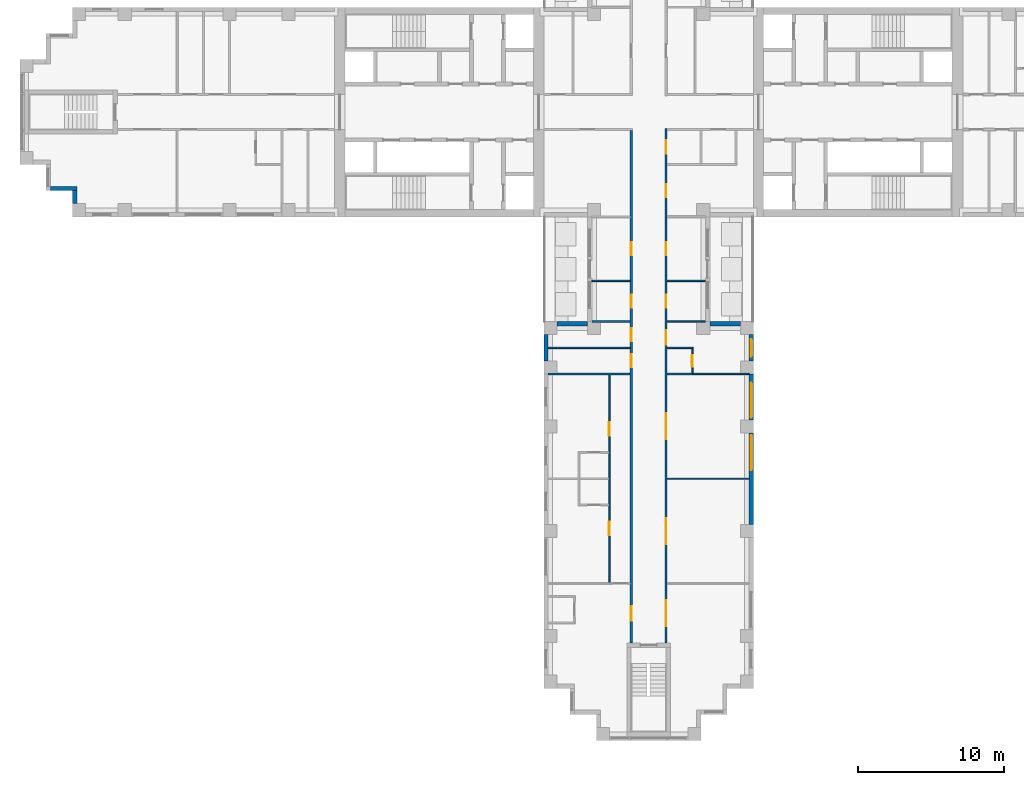
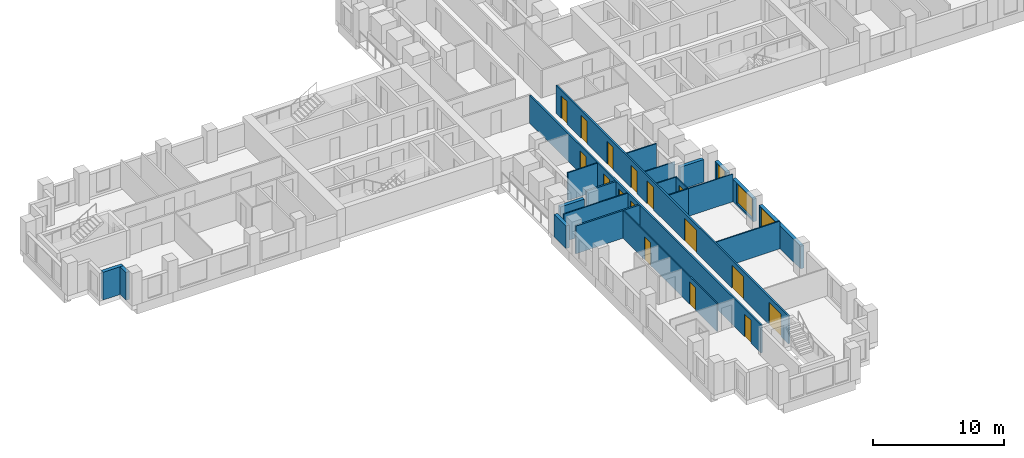
# One storey, part 4 of 13: 22 walls, 16 doors, 3 windows, 19 openings.
"""IFC4 building model written with IfcOpenShell, lengths in metres."""

from ifc_helpers import new_model, si_unit, direction, frame, frame_2d, origin, place, context, subcontext, project, spatial, rectangle, extrude, material, layer, layer_set, type_object, element, fill, save


model = new_model("IFC4")

# Units and contexts
model_context = context("Model", 3, precision=1e-05, world=origin(), true_north=direction((0.0, 1.0)))
body_context = subcontext(model_context, "Body", "Model", "MODEL_VIEW")
ifc_project = project(units=[si_unit("LENGTHUNIT", "METRE"), si_unit("AREAUNIT", "SQUARE_METRE"), si_unit("VOLUMEUNIT", "CUBIC_METRE"), si_unit("PLANEANGLEUNIT", "RADIAN"), si_unit("MASSUNIT", "GRAM", prefix="KILO")], contexts=[model_context])

# Site, building, storey
site_placement = place(None, origin())
site = spatial("IfcSite", under=ifc_project, at=site_placement, CompositionType="ELEMENT")
building_placement = place(site_placement, origin())
building = spatial("IfcBuilding", under=site, at=building_placement, Name="Fustian Cross Tower", CompositionType="ELEMENT")
storey_placement = place(building_placement, frame((0.0, 0.0, 81.89990234375)))
storey = spatial("IfcBuildingStorey", under=building, at=storey_placement, Name="L25", CompositionType="ELEMENT", Elevation=81.89990234375)

# Walls
ifc_material_1 = material(Name="Plasterboard on steel stud", Category="steel")
ifc_layer_1 = layer(ifc_material_1, 0.14990234375)
ifc_layer_set_1 = layer_set([ifc_layer_1], Name="Plasterboard on steel stud")
wall_type_1 = type_object("IfcWallType", Name="COMPARTMENT WALL 150 EI 60", PredefinedType="PARTITIONING", material=ifc_layer_set_1)
wall_1_placement = place(storey_placement, frame((-6.89990234375, -18.0, 0.0), z_axis=(0.0, 0.0, 1.0), x_axis=(1.0, 0.0, 0.0)))
element("IfcWall", 1, at=wall_1_placement, inside=storey, type_object=wall_type_1, Name="Partition 17", PredefinedType="PARTITIONING", context=body_context, shape_type="SweptSolid", body=[
    extrude(rectangle(XDim=5.625, YDim=0.14990234375, at=frame_2d((2.8125, 0.0))), origin(), (0.0, 0.0, 1.0), 2.5751953125),
])
wall_2_placement = place(storey_placement, frame((-3.89990234375, -14.39990234375, 0.0), z_axis=(0.0, 0.0, 1.0), x_axis=(1.0, 0.0, 0.0)))
element("IfcWall", 2, at=wall_2_placement, inside=storey, type_object=wall_type_1, Name="Partition 25", PredefinedType="PARTITIONING", context=body_context, shape_type="SweptSolid", body=[
    extrude(rectangle(XDim=2.625, YDim=0.14990234375, at=frame_2d((1.3125, 0.0))), origin(), (0.0, 0.0, 1.0), 2.5751953125),
])

# Wall, openings, doors
wall_3_placement = place(storey_placement, frame((-1.199951171875, -36.5, 0.0), z_axis=(0.0, 0.0, 1.0), x_axis=(0.0, 1.0, 0.0)))
wall_3 = element("IfcWall", 3, at=wall_3_placement, inside=storey, type_object=wall_type_1, Name="Partition 34", PredefinedType="PARTITIONING", context=body_context, shape_type="SweptSolid", body=[
    extrude(rectangle(XDim=35.22509765625, YDim=0.14990234375, at=frame_2d((17.612548828125, 0.0))), origin(), (0.0, 0.0, 1.0), 2.5751953125),
])
opening_1_placement = place(wall_3_placement, frame((23.050048828125, 0.0, 0.0)))
opening_1 = element("IfcOpeningElement", 4, at=opening_1_placement, cuts=wall_3, Name="Opening D12044", PredefinedType="OPENING", context=body_context, shape_type="SweptSolid", body=[
    extrude(rectangle(XDim=0.89990234375, YDim=2.10009765625, at=frame_2d((0.449951171875, 1.050048828125))), frame((0.0, 0.0849609375, 0.0), z_axis=(0.0, -1.0, 0.0), x_axis=(1.0, 0.0, 0.0)), (0.0, 0.0, 1.0), 0.169921875),
])
opening_2_placement = place(wall_3_placement, frame((26.64990234375, 0.0, 0.0)))
opening_2 = element("IfcOpeningElement", 5, at=opening_2_placement, cuts=wall_3, Name="Opening D12045", PredefinedType="OPENING", context=body_context, shape_type="SweptSolid", body=[
    extrude(rectangle(XDim=0.89990234375, YDim=2.10009765625, at=frame_2d((0.449951171875, 1.050048828125))), frame((0.0, 0.0849609375, 0.0), z_axis=(0.0, -1.0, 0.0), x_axis=(1.0, 0.0, 0.0)), (0.0, 0.0, 1.0), 0.169921875),
])
opening_3_placement = place(wall_3_placement, frame((20.75, 0.0, 0.0)))
opening_3 = element("IfcOpeningElement", 6, at=opening_3_placement, cuts=wall_3, Name="Opening D12046", PredefinedType="OPENING", context=body_context, shape_type="SweptSolid", body=[
    extrude(rectangle(XDim=0.89990234375, YDim=2.10009765625, at=frame_2d((0.449951171875, 1.050048828125))), frame((0.0, 0.0849609375, 0.0), z_axis=(0.0, -1.0, 0.0), x_axis=(1.0, 0.0, 0.0)), (0.0, 0.0, 1.0), 0.169921875),
])
opening_4_placement = place(wall_3_placement, frame((18.949951171875, 0.0, 0.0)))
opening_4 = element("IfcOpeningElement", 7, at=opening_4_placement, cuts=wall_3, Name="Opening D12047", PredefinedType="OPENING", context=body_context, shape_type="SweptSolid", body=[
    extrude(rectangle(XDim=0.89990234375, YDim=2.10009765625, at=frame_2d((0.449951171875, 1.050048828125))), frame((0.0, 0.0849609375, 0.0), z_axis=(0.0, -1.0, 0.0), x_axis=(1.0, 0.0, 0.0)), (0.0, 0.0, 1.0), 0.169921875),
])
opening_5_placement = place(wall_3_placement, frame((1.550048828125, 0.0, 0.0)))
opening_5 = element("IfcOpeningElement", 8, at=opening_5_placement, cuts=wall_3, Name="Opening D12049", PredefinedType="OPENING", context=body_context, shape_type="SweptSolid", body=[
    extrude(rectangle(XDim=1.0, YDim=2.10009765625, at=frame_2d((0.5, 1.050048828125))), frame((0.0, 0.0849609375, 0.0), z_axis=(0.0, -1.0, 0.0), x_axis=(1.0, 0.0, 0.0)), (0.0, 0.0, 1.0), 0.169921875),
])
ifc_material_2 = material(Name="Timber fire door set", Category="wood")
door_type_1 = type_object("IfcDoorType", Name="FIRE SWING DOOR 1000 FD30S", OperationType="SINGLE_SWING_LEFT", PredefinedType="DOOR", material=ifc_material_2)
door_1_placement = place(opening_5_placement, origin())
door_1 = element("IfcDoor", 9, at=door_1_placement, inside=storey, type_object=door_type_1, Name="Door D12049", OperationType="SINGLE_SWING_RIGHT", OverallHeight=2.10009765625, OverallWidth=1.0, PredefinedType="DOOR", context=body_context, shape_type="SweptSolid", body=[
    extrude(rectangle(XDim=1.0, YDim=2.10009765625, at=frame_2d((0.5, 1.050048828125))), frame((0.0, 0.02490234375, 0.0), z_axis=(0.0, -1.0, 0.0), x_axis=(1.0, 0.0, 0.0)), (0.0, 0.0, 1.0), 0.050048828125),
])
fill(opening_5, door_1)
ifc_material_3 = material(Name="Timber fire door set", Category="wood")
door_type_2 = type_object("IfcDoorType", Name="FIRE SWING DOOR 900 FD30S", OperationType="SINGLE_SWING_LEFT", PredefinedType="DOOR", material=ifc_material_3)
door_2_placement = place(opening_1_placement, origin())
door_2 = element("IfcDoor", 10, at=door_2_placement, inside=storey, type_object=door_type_2, Name="Door D12044", OperationType="SINGLE_SWING_LEFT", OverallHeight=2.10009765625, OverallWidth=0.89990234375, PredefinedType="DOOR", context=body_context, shape_type="SweptSolid", body=[
    extrude(rectangle(XDim=0.89990234375, YDim=2.10009765625, at=frame_2d((0.449951171875, 1.050048828125))), frame((0.0, 0.02490234375, 0.0), z_axis=(0.0, -1.0, 0.0), x_axis=(1.0, 0.0, 0.0)), (0.0, 0.0, 1.0), 0.050048828125),
])
fill(opening_1, door_2)
door_3_placement = place(opening_2_placement, origin())
door_3 = element("IfcDoor", 11, at=door_3_placement, inside=storey, type_object=door_type_2, Name="Door D12045", OperationType="SINGLE_SWING_LEFT", OverallHeight=2.10009765625, OverallWidth=0.89990234375, PredefinedType="DOOR", context=body_context, shape_type="SweptSolid", body=[
    extrude(rectangle(XDim=0.89990234375, YDim=2.10009765625, at=frame_2d((0.449951171875, 1.050048828125))), frame((0.0, 0.02490234375, 0.0), z_axis=(0.0, -1.0, 0.0), x_axis=(1.0, 0.0, 0.0)), (0.0, 0.0, 1.0), 0.050048828125),
])
fill(opening_2, door_3)
door_4_placement = place(opening_3_placement, origin())
door_4 = element("IfcDoor", 12, at=door_4_placement, inside=storey, type_object=door_type_2, Name="Door D12046", OperationType="SINGLE_SWING_RIGHT", OverallHeight=2.10009765625, OverallWidth=0.89990234375, PredefinedType="DOOR", context=body_context, shape_type="SweptSolid", body=[
    extrude(rectangle(XDim=0.89990234375, YDim=2.10009765625, at=frame_2d((0.449951171875, 1.050048828125))), frame((0.0, 0.02490234375, 0.0), z_axis=(0.0, -1.0, 0.0), x_axis=(1.0, 0.0, 0.0)), (0.0, 0.0, 1.0), 0.050048828125),
])
fill(opening_3, door_4)
door_5_placement = place(opening_4_placement, origin())
door_5 = element("IfcDoor", 13, at=door_5_placement, inside=storey, type_object=door_type_2, Name="Door D12047", OperationType="SINGLE_SWING_RIGHT", OverallHeight=2.10009765625, OverallWidth=0.89990234375, PredefinedType="DOOR", context=body_context, shape_type="SweptSolid", body=[
    extrude(rectangle(XDim=0.89990234375, YDim=2.10009765625, at=frame_2d((0.449951171875, 1.050048828125))), frame((0.0, 0.02490234375, 0.0), z_axis=(0.0, -1.0, 0.0), x_axis=(1.0, 0.0, 0.0)), (0.0, 0.0, 1.0), 0.050048828125),
])
fill(opening_4, door_5)

wall_4_placement = place(storey_placement, frame((1.199951171875, -36.5, 0.0), z_axis=(0.0, 0.0, 1.0), x_axis=(0.0, 1.0, 0.0)))
wall_4 = element("IfcWall", 14, at=wall_4_placement, inside=storey, type_object=wall_type_1, Name="Partition 36", PredefinedType="PARTITIONING", context=body_context, shape_type="SweptSolid", body=[
    extrude(rectangle(XDim=35.375, YDim=0.14990234375, at=frame_2d((17.6875, 0.0))), origin(), (0.0, 0.0, 1.0), 2.5751953125),
])
opening_6_placement = place(wall_4_placement, frame((33.64990234375, 0.0, 0.0)))
opening_6 = element("IfcOpeningElement", 15, at=opening_6_placement, cuts=wall_4, Name="Opening D12005", PredefinedType="OPENING", context=body_context, shape_type="SweptSolid", body=[
    extrude(rectangle(XDim=0.89990234375, YDim=2.10009765625, at=frame_2d((0.449951171875, 1.050048828125))), frame((0.0, 0.0849609375, 0.0), z_axis=(0.0, -1.0, 0.0), x_axis=(1.0, 0.0, 0.0)), (0.0, 0.0, 1.0), 0.169921875),
])
opening_7_placement = place(wall_4_placement, frame((30.64990234375, 0.0, 0.0)))
opening_7 = element("IfcOpeningElement", 16, at=opening_7_placement, cuts=wall_4, Name="Opening D12007", PredefinedType="OPENING", context=body_context, shape_type="SweptSolid", body=[
    extrude(rectangle(XDim=0.89990234375, YDim=2.10009765625, at=frame_2d((0.449951171875, 1.050048828125))), frame((0.0, 0.0849609375, 0.0), z_axis=(0.0, -1.0, 0.0), x_axis=(1.0, 0.0, 0.0)), (0.0, 0.0, 1.0), 0.169921875),
])
opening_8_placement = place(wall_4_placement, frame((23.050048828125, 0.0, 0.0)))
opening_8 = element("IfcOpeningElement", 17, at=opening_8_placement, cuts=wall_4, Name="Opening D12037", PredefinedType="OPENING", context=body_context, shape_type="SweptSolid", body=[
    extrude(rectangle(XDim=0.89990234375, YDim=2.10009765625, at=frame_2d((0.449951171875, 1.050048828125))), frame((0.0, 0.0849609375, 0.0), z_axis=(0.0, -1.0, 0.0), x_axis=(1.0, 0.0, 0.0)), (0.0, 0.0, 1.0), 0.169921875),
])
opening_9_placement = place(wall_4_placement, frame((26.64990234375, 0.0, 0.0)))
opening_9 = element("IfcOpeningElement", 18, at=opening_9_placement, cuts=wall_4, Name="Opening D12038", PredefinedType="OPENING", context=body_context, shape_type="SweptSolid", body=[
    extrude(rectangle(XDim=0.89990234375, YDim=2.10009765625, at=frame_2d((0.449951171875, 1.050048828125))), frame((0.0, 0.0849609375, 0.0), z_axis=(0.0, -1.0, 0.0), x_axis=(1.0, 0.0, 0.0)), (0.0, 0.0, 1.0), 0.169921875),
])
opening_10_placement = place(wall_4_placement, frame((20.5, 0.0, 0.0)))
opening_10 = element("IfcOpeningElement", 19, at=opening_10_placement, cuts=wall_4, Name="Opening D12040", PredefinedType="OPENING", context=body_context, shape_type="SweptSolid", body=[
    extrude(rectangle(XDim=1.0, YDim=2.10009765625, at=frame_2d((0.5, 1.050048828125))), frame((0.0, 0.0849609375, 0.0), z_axis=(0.0, -1.0, 0.0), x_axis=(1.0, 0.0, 0.0)), (0.0, 0.0, 1.0), 0.169921875),
])
opening_11_placement = place(wall_4_placement, frame((14.0, 0.0, 0.0)))
opening_11 = element("IfcOpeningElement", 20, at=opening_11_placement, cuts=wall_4, Name="Opening D12041", PredefinedType="OPENING", context=body_context, shape_type="SweptSolid", body=[
    extrude(rectangle(XDim=1.800048828125, YDim=2.10009765625, at=frame_2d((0.89990234375, 1.050048828125))), frame((0.0, 0.0849609375, 0.0), z_axis=(0.0, -1.0, 0.0), x_axis=(1.0, 0.0, 0.0)), (0.0, 0.0, 1.0), 0.169921875),
])
opening_12_placement = place(wall_4_placement, frame((6.800048828125, 0.0, 0.0)))
opening_12 = element("IfcOpeningElement", 21, at=opening_12_placement, cuts=wall_4, Name="Opening D12042", PredefinedType="OPENING", context=body_context, shape_type="SweptSolid", body=[
    extrude(rectangle(XDim=1.800048828125, YDim=2.10009765625, at=frame_2d((0.89990234375, 1.050048828125))), frame((0.0, 0.0849609375, 0.0), z_axis=(0.0, -1.0, 0.0), x_axis=(1.0, 0.0, 0.0)), (0.0, 0.0, 1.0), 0.169921875),
])
opening_13_placement = place(wall_4_placement, frame((1.14990234375, 0.0, 0.0)))
opening_13 = element("IfcOpeningElement", 22, at=opening_13_placement, cuts=wall_4, Name="Opening D12043", PredefinedType="OPENING", context=body_context, shape_type="SweptSolid", body=[
    extrude(rectangle(XDim=1.800048828125, YDim=2.10009765625, at=frame_2d((0.89990234375, 1.050048828125))), frame((0.0, 0.0849609375, 0.0), z_axis=(0.0, -1.0, 0.0), x_axis=(1.0, 0.0, 0.0)), (0.0, 0.0, 1.0), 0.169921875),
])
ifc_material_4 = material(Name="Timber fire door set", Category="wood")
door_type_3 = type_object("IfcDoorType", Name="FIRE DOUBLE DOOR 1800 FD30S", OperationType="DOUBLE_DOOR_DOUBLE_SWING", PredefinedType="DOOR", material=ifc_material_4)
door_6_placement = place(opening_11_placement, origin())
door_6 = element("IfcDoor", 23, at=door_6_placement, inside=storey, type_object=door_type_3, Name="Door D12041", OperationType="DOUBLE_DOOR_DOUBLE_SWING", OverallHeight=2.10009765625, OverallWidth=1.800048828125, PredefinedType="DOOR", context=body_context, shape_type="SweptSolid", body=[
    extrude(rectangle(XDim=1.800048828125, YDim=2.10009765625, at=frame_2d((0.89990234375, 1.050048828125))), frame((0.0, 0.02490234375, 0.0), z_axis=(0.0, -1.0, 0.0), x_axis=(1.0, 0.0, 0.0)), (0.0, 0.0, 1.0), 0.050048828125),
])
fill(opening_11, door_6)
door_7_placement = place(opening_12_placement, origin())
door_7 = element("IfcDoor", 24, at=door_7_placement, inside=storey, type_object=door_type_3, Name="Door D12042", OperationType="DOUBLE_DOOR_DOUBLE_SWING", OverallHeight=2.10009765625, OverallWidth=1.800048828125, PredefinedType="DOOR", context=body_context, shape_type="SweptSolid", body=[
    extrude(rectangle(XDim=1.800048828125, YDim=2.10009765625, at=frame_2d((0.89990234375, 1.050048828125))), frame((0.0, 0.02490234375, 0.0), z_axis=(0.0, -1.0, 0.0), x_axis=(1.0, 0.0, 0.0)), (0.0, 0.0, 1.0), 0.050048828125),
])
fill(opening_12, door_7)
door_8_placement = place(opening_13_placement, origin())
door_8 = element("IfcDoor", 25, at=door_8_placement, inside=storey, type_object=door_type_3, Name="Door D12043", OperationType="DOUBLE_DOOR_DOUBLE_SWING", OverallHeight=2.10009765625, OverallWidth=1.800048828125, PredefinedType="DOOR", context=body_context, shape_type="SweptSolid", body=[
    extrude(rectangle(XDim=1.800048828125, YDim=2.10009765625, at=frame_2d((0.89990234375, 1.050048828125))), frame((0.0, 0.02490234375, 0.0), z_axis=(0.0, -1.0, 0.0), x_axis=(1.0, 0.0, 0.0)), (0.0, 0.0, 1.0), 0.050048828125),
])
fill(opening_13, door_8)
door_9_placement = place(opening_10_placement, frame((1.0, 0.0, 0.0), z_axis=(0.0, 0.0, 1.0), x_axis=(-1.0, 0.0, 0.0)))
door_9 = element("IfcDoor", 26, at=door_9_placement, inside=storey, type_object=door_type_1, Name="Door D12040", OperationType="SINGLE_SWING_RIGHT", OverallHeight=2.10009765625, OverallWidth=1.0, PredefinedType="DOOR", context=body_context, shape_type="SweptSolid", body=[
    extrude(rectangle(XDim=1.0, YDim=2.10009765625, at=frame_2d((0.5, 1.050048828125))), frame((0.0, 0.02490234375, 0.0), z_axis=(0.0, -1.0, 0.0), x_axis=(1.0, 0.0, 0.0)), (0.0, 0.0, 1.0), 0.050048828125),
])
fill(opening_10, door_9)
door_10_placement = place(opening_6_placement, frame((0.89990234375, 0.0, 0.0), z_axis=(0.0, 0.0, 1.0), x_axis=(-1.0, 0.0, 0.0)))
door_10 = element("IfcDoor", 27, at=door_10_placement, inside=storey, type_object=door_type_2, Name="Door D12005", OperationType="SINGLE_SWING_RIGHT", OverallHeight=2.10009765625, OverallWidth=0.89990234375, PredefinedType="DOOR", context=body_context, shape_type="SweptSolid", body=[
    extrude(rectangle(XDim=0.89990234375, YDim=2.10009765625, at=frame_2d((0.449951171875, 1.050048828125))), frame((0.0, 0.02490234375, 0.0), z_axis=(0.0, -1.0, 0.0), x_axis=(1.0, 0.0, 0.0)), (0.0, 0.0, 1.0), 0.050048828125),
])
fill(opening_6, door_10)
door_11_placement = place(opening_7_placement, frame((0.89990234375, 0.0, 0.0), z_axis=(0.0, 0.0, 1.0), x_axis=(-1.0, 0.0, 0.0)))
door_11 = element("IfcDoor", 28, at=door_11_placement, inside=storey, type_object=door_type_2, Name="Door D12007", OperationType="SINGLE_SWING_RIGHT", OverallHeight=2.10009765625, OverallWidth=0.89990234375, PredefinedType="DOOR", context=body_context, shape_type="SweptSolid", body=[
    extrude(rectangle(XDim=0.89990234375, YDim=2.10009765625, at=frame_2d((0.449951171875, 1.050048828125))), frame((0.0, 0.02490234375, 0.0), z_axis=(0.0, -1.0, 0.0), x_axis=(1.0, 0.0, 0.0)), (0.0, 0.0, 1.0), 0.050048828125),
])
fill(opening_7, door_11)
door_12_placement = place(opening_8_placement, frame((0.89990234375, 0.0, 0.0), z_axis=(0.0, 0.0, 1.0), x_axis=(-1.0, 0.0, 0.0)))
door_12 = element("IfcDoor", 29, at=door_12_placement, inside=storey, type_object=door_type_2, Name="Door D12037", OperationType="SINGLE_SWING_RIGHT", OverallHeight=2.10009765625, OverallWidth=0.89990234375, PredefinedType="DOOR", context=body_context, shape_type="SweptSolid", body=[
    extrude(rectangle(XDim=0.89990234375, YDim=2.10009765625, at=frame_2d((0.449951171875, 1.050048828125))), frame((0.0, 0.02490234375, 0.0), z_axis=(0.0, -1.0, 0.0), x_axis=(1.0, 0.0, 0.0)), (0.0, 0.0, 1.0), 0.050048828125),
])
fill(opening_8, door_12)
door_13_placement = place(opening_9_placement, frame((0.89990234375, 0.0, 0.0), z_axis=(0.0, 0.0, 1.0), x_axis=(-1.0, 0.0, 0.0)))
door_13 = element("IfcDoor", 30, at=door_13_placement, inside=storey, type_object=door_type_2, Name="Door D12038", OperationType="SINGLE_SWING_RIGHT", OverallHeight=2.10009765625, OverallWidth=0.89990234375, PredefinedType="DOOR", context=body_context, shape_type="SweptSolid", body=[
    extrude(rectangle(XDim=0.89990234375, YDim=2.10009765625, at=frame_2d((0.449951171875, 1.050048828125))), frame((0.0, 0.02490234375, 0.0), z_axis=(0.0, -1.0, 0.0), x_axis=(1.0, 0.0, 0.0)), (0.0, 0.0, 1.0), 0.050048828125),
])
fill(opening_9, door_13)

# Walls
ifc_material_5 = material(Name="Plasterboard on steel stud", Category="steel")
ifc_layer_2 = layer(ifc_material_5, 0.10009765625)
ifc_layer_set_2 = layer_set([ifc_layer_2], Name="Plasterboard on steel stud")
wall_type_2 = type_object("IfcWallType", Name="PARTITION 100 STUD", PredefinedType="PARTITIONING", material=ifc_layer_set_2)
wall_5_placement = place(storey_placement, frame((-6.89990234375, -16.199951171875, 0.0), z_axis=(0.0, 0.0, 1.0), x_axis=(1.0, 0.0, 0.0)))
element("IfcWall", 31, at=wall_5_placement, inside=storey, type_object=wall_type_2, Name="Partition 18", PredefinedType="PARTITIONING", context=body_context, shape_type="SweptSolid", body=[
    extrude(rectangle(XDim=5.625, YDim=0.10009765625, at=frame_2d((2.8125, 0.0))), origin(), (0.0, 0.0, 1.0), 2.5751953125),
])
wall_6_placement = place(storey_placement, frame((-3.89990234375, -11.60009765625, 0.0), z_axis=(0.0, 0.0, 1.0), x_axis=(1.0, 0.0, 0.0)))
element("IfcWall", 32, at=wall_6_placement, inside=storey, type_object=wall_type_2, Name="Partition 26", PredefinedType="PARTITIONING", context=body_context, shape_type="SweptSolid", body=[
    extrude(rectangle(XDim=2.625, YDim=0.10009765625, at=frame_2d((1.3125, 0.0))), origin(), (0.0, 0.0, 1.0), 2.5751953125),
])

# Wall, openings, doors
wall_7_placement = place(storey_placement, frame((-2.699951171875, -32.35009765625, 0.0), z_axis=(0.0, 0.0, 1.0), x_axis=(0.0, 1.0, 0.0)))
wall_7 = element("IfcWall", 33, at=wall_7_placement, inside=storey, type_object=wall_type_2, Name="Partition 33", PredefinedType="PARTITIONING", context=body_context, shape_type="SweptSolid", body=[
    extrude(rectangle(XDim=14.275146484375, YDim=0.10009765625, at=frame_2d((7.1376953125, 0.0))), origin(), (0.0, 0.0, 1.0), 2.5751953125),
])
opening_14_placement = place(wall_7_placement, frame((3.280029296875, 0.0, 0.0)))
opening_14 = element("IfcOpeningElement", 34, at=opening_14_placement, cuts=wall_7, Name="Opening D12050", PredefinedType="OPENING", context=body_context, shape_type="SweptSolid", body=[
    extrude(rectangle(XDim=0.89990234375, YDim=2.10009765625, at=frame_2d((0.449951171875, 1.050048828125))), frame((0.0, 0.06005859375, 0.0), z_axis=(0.0, -1.0, 0.0), x_axis=(1.0, 0.0, 0.0)), (0.0, 0.0, 1.0), 0.1201171875),
])
opening_15_placement = place(wall_7_placement, frame((10.119873046875, 0.0, 0.0)))
opening_15 = element("IfcOpeningElement", 35, at=opening_15_placement, cuts=wall_7, Name="Opening D12051", PredefinedType="OPENING", context=body_context, shape_type="SweptSolid", body=[
    extrude(rectangle(XDim=0.89990234375, YDim=2.10009765625, at=frame_2d((0.449951171875, 1.050048828125))), frame((0.0, 0.06005859375, 0.0), z_axis=(0.0, -1.0, 0.0), x_axis=(1.0, 0.0, 0.0)), (0.0, 0.0, 1.0), 0.1201171875),
])
ifc_material_6 = material(Name="Painted timber", Category="wood")
door_type_4 = type_object("IfcDoorType", Name="SWING DOOR 900", OperationType="SINGLE_SWING_LEFT", PredefinedType="DOOR", material=ifc_material_6)
door_14_placement = place(opening_14_placement, frame((0.89990234375, 0.0, 0.0), z_axis=(0.0, 0.0, 1.0), x_axis=(-1.0, 0.0, 0.0)))
door_14 = element("IfcDoor", 36, at=door_14_placement, inside=storey, type_object=door_type_4, Name="Door D12050", OperationType="SINGLE_SWING_RIGHT", OverallHeight=2.10009765625, OverallWidth=0.89990234375, PredefinedType="DOOR", context=body_context, shape_type="SweptSolid", body=[
    extrude(rectangle(XDim=0.89990234375, YDim=2.10009765625, at=frame_2d((0.449951171875, 1.050048828125))), frame((0.0, 0.02490234375, 0.0), z_axis=(0.0, -1.0, 0.0), x_axis=(1.0, 0.0, 0.0)), (0.0, 0.0, 1.0), 0.050048828125),
])
fill(opening_14, door_14)
door_15_placement = place(opening_15_placement, frame((0.89990234375, 0.0, 0.0), z_axis=(0.0, 0.0, 1.0), x_axis=(-1.0, 0.0, 0.0)))
door_15 = element("IfcDoor", 37, at=door_15_placement, inside=storey, type_object=door_type_4, Name="Door D12051", OperationType="SINGLE_SWING_LEFT", OverallHeight=2.10009765625, OverallWidth=0.89990234375, PredefinedType="DOOR", context=body_context, shape_type="SweptSolid", body=[
    extrude(rectangle(XDim=0.89990234375, YDim=2.10009765625, at=frame_2d((0.449951171875, 1.050048828125))), frame((0.0, 0.02490234375, 0.0), z_axis=(0.0, -1.0, 0.0), x_axis=(1.0, 0.0, 0.0)), (0.0, 0.0, 1.0), 0.050048828125),
])
fill(opening_15, door_15)

# Walls
wall_8_placement = place(storey_placement, frame((1.27490234375, -25.199951171875, 0.0), z_axis=(0.0, 0.0, 1.0), x_axis=(1.0, 0.0, 0.0)))
element("IfcWall", 38, at=wall_8_placement, inside=storey, type_object=wall_type_2, Name="Partition 38", PredefinedType="PARTITIONING", context=body_context, shape_type="SweptSolid", body=[
    extrude(rectangle(XDim=5.625, YDim=0.10009765625, at=frame_2d((2.8125, 0.0))), origin(), (0.0, 0.0, 1.0), 2.5751953125),
])
wall_9_placement = place(storey_placement, frame((1.27490234375, -16.199951171875, 0.0), z_axis=(0.0, 0.0, 1.0), x_axis=(1.0, 0.0, 0.0)))
element("IfcWall", 39, at=wall_9_placement, inside=storey, type_object=wall_type_2, Name="Partition 40", PredefinedType="PARTITIONING", context=body_context, shape_type="SweptSolid", body=[
    extrude(rectangle(XDim=1.775146484375, YDim=0.10009765625, at=frame_2d((0.8876953125, 0.0))), origin(), (0.0, 0.0, 1.0), 2.5751953125),
])
for number, where, z_axis, x_axis, name in (
    (40, (1.27490234375, -14.39990234375, 0.0), (0.0, 0.0, 1.0), (1.0, 0.0, 0.0), "Partition 41"),
    (41, (1.27490234375, -11.60009765625, 0.0), (0.0, 0.0, 1.0), (1.0, 0.0, 0.0), "Partition 42"),
):
    element("IfcWall", number, at=place(storey_placement, frame(where, z_axis=z_axis, x_axis=x_axis)), inside=storey, type_object=wall_type_2, Name=name, PredefinedType="PARTITIONING", context=body_context, shape_type="SweptSolid", body=[
        extrude(rectangle(XDim=2.625, YDim=0.10009765625, at=frame_2d((1.3125, 0.0))), origin(), (0.0, 0.0, 1.0), 2.5751953125),
    ])

# Wall, opening, door
wall_10_placement = place(storey_placement, frame((3.0, -17.9375, 0.0), z_axis=(0.0, 0.0, 1.0), x_axis=(0.0, 1.0, 0.0)))
wall_10 = element("IfcWall", 42, at=wall_10_placement, inside=storey, type_object=wall_type_2, Name="Partition 50", PredefinedType="PARTITIONING", context=body_context, shape_type="SweptSolid", body=[
    extrude(rectangle(XDim=1.6875, YDim=0.10009765625, at=frame_2d((0.84375, 0.0))), origin(), (0.0, 0.0, 1.0), 2.5751953125),
])
opening_16_placement = place(wall_10_placement, frame((0.4375, 0.0, 0.0)))
opening_16 = element("IfcOpeningElement", 43, at=opening_16_placement, cuts=wall_10, Name="Opening D12039", PredefinedType="OPENING", context=body_context, shape_type="SweptSolid", body=[
    extrude(rectangle(XDim=0.800048828125, YDim=2.10009765625, at=frame_2d((0.39990234375, 1.050048828125))), frame((0.0, 0.06005859375, 0.0), z_axis=(0.0, -1.0, 0.0), x_axis=(1.0, 0.0, 0.0)), (0.0, 0.0, 1.0), 0.1201171875),
])
ifc_material_7 = material(Name="Painted timber", Category="wood")
door_type_5 = type_object("IfcDoorType", Name="SWING DOOR 800", OperationType="SINGLE_SWING_LEFT", PredefinedType="DOOR", material=ifc_material_7)
door_16_placement = place(opening_16_placement, origin())
door_16 = element("IfcDoor", 44, at=door_16_placement, inside=storey, type_object=door_type_5, Name="Door D12039", OperationType="SINGLE_SWING_RIGHT", OverallHeight=2.10009765625, OverallWidth=0.800048828125, PredefinedType="DOOR", context=body_context, shape_type="SweptSolid", body=[
    extrude(rectangle(XDim=0.800048828125, YDim=2.10009765625, at=frame_2d((0.39990234375, 1.050048828125))), frame((0.0, 0.02490234375, 0.0), z_axis=(0.0, -1.0, 0.0), x_axis=(1.0, 0.0, 0.0)), (0.0, 0.0, 1.0), 0.050048828125),
])
fill(opening_16, door_16)

# Walls
wall_11_placement = place(storey_placement, frame((3.0, -18.0, 0.0), z_axis=(0.0, 0.0, 1.0), x_axis=(1.0, 0.0, 0.0)))
element("IfcWall", 45, at=wall_11_placement, inside=storey, type_object=wall_type_2, Name="Partition 51", PredefinedType="PARTITIONING", context=body_context, shape_type="SweptSolid", body=[
    extrude(rectangle(XDim=3.89990234375, YDim=0.10009765625, at=frame_2d((1.949951171875, 0.0))), origin(), (0.0, 0.0, 1.0), 2.5751953125),
])
ifc_material_8 = material(Name="Plasterboard on steel stud", Category="steel")
ifc_layer_3 = layer(ifc_material_8, 0.125)
ifc_layer_set_3 = layer_set([ifc_layer_3], Name="Plasterboard on steel stud")
wall_type_3 = type_object("IfcWallType", Name="WET WALL 125 STUD", PredefinedType="PARTITIONING", material=ifc_layer_set_3)
wall_12_placement = place(storey_placement, frame((1.27490234375, -18.0, 0.0), z_axis=(0.0, 0.0, 1.0), x_axis=(1.0, 0.0, 0.0)))
element("IfcWall", 46, at=wall_12_placement, inside=storey, type_object=wall_type_3, Name="Partition 39", PredefinedType="PARTITIONING", context=body_context, shape_type="SweptSolid", body=[
    extrude(rectangle(XDim=1.72509765625, YDim=0.125, at=frame_2d((0.862548828125, 0.0))), origin(), (0.0, 0.0, 1.0), 2.5751953125),
])
ifc_material_9 = material(Name="Dark aluminium cladding on insulated backing wall", Category="aluminium")
ifc_layer_4 = layer(ifc_material_9, 0.300048828125)
ifc_layer_set_4 = layer_set([ifc_layer_4], Name="Dark aluminium cladding on insulated backing wall")
wall_type_4 = type_object("IfcWallType", Name="XW1 EXTERNAL WALL 300", PredefinedType="SOLIDWALL", material=ifc_layer_set_4)
wall_13_placement = place(storey_placement, frame((-41.10009765625, -5.25, 0.0), z_axis=(0.0, 0.0, 1.0), x_axis=(1.0, 0.0, 0.0)))
element("IfcWall", 47, at=wall_13_placement, inside=storey, type_object=wall_type_4, Name="External wall", PredefinedType="SOLIDWALL", context=body_context, shape_type="SweptSolid", body=[
    extrude(rectangle(XDim=1.800048828125, YDim=0.300048828125, at=frame_2d((0.89990234375, 0.0))), origin(), (0.0, 0.0, 1.0), 2.5751953125),
])
wall_14_placement = place(storey_placement, frame((-39.449951171875, -5.39990234375, 0.0), z_axis=(0.0, 0.0, 1.0), x_axis=(0.0, -1.0, 0.0)))
element("IfcWall", 48, at=wall_14_placement, inside=storey, type_object=wall_type_4, Name="External wall", PredefinedType="SOLIDWALL", context=body_context, shape_type="SweptSolid", body=[
    extrude(rectangle(XDim=0.900146484375, YDim=0.300048828125, at=frame_2d((0.4501953125, 0.0))), origin(), (0.0, 0.0, 1.0), 2.5751953125),
])
wall_15_placement = place(storey_placement, frame((-4.199951171875, -14.550048828125, 0.0), z_axis=(0.0, 0.0, 1.0), x_axis=(-1.0, 0.0, 0.0)))
element("IfcWall", 49, at=wall_15_placement, inside=storey, type_object=wall_type_4, Name="External wall", PredefinedType="SOLIDWALL", context=body_context, shape_type="SweptSolid", body=[
    extrude(rectangle(XDim=2.10009765625, YDim=0.300048828125, at=frame_2d((1.050048828125, 0.0))), origin(), (0.0, 0.0, 1.0), 2.10009765625),
])
wall_16_placement = place(storey_placement, frame((-7.050048828125, -15.300048828125, 0.0), z_axis=(0.0, 0.0, 1.0), x_axis=(0.0, -1.0, 0.0)))
element("IfcWall", 50, at=wall_16_placement, inside=storey, type_object=wall_type_4, Name="External wall", PredefinedType="SOLIDWALL", context=body_context, shape_type="SweptSolid", body=[
    extrude(rectangle(XDim=1.800048828125, YDim=0.300048828125, at=frame_2d((0.89990234375, 0.0))), origin(), (0.0, 0.0, 1.0), 2.10009765625),
])

# Wall, opening, window
wall_17_placement = place(storey_placement, frame((7.050048828125, -28.35009765625, 0.0), z_axis=(0.0, 0.0, 1.0), x_axis=(0.0, 1.0, 0.0)))
wall_17 = element("IfcWall", 51, at=wall_17_placement, inside=storey, type_object=wall_type_4, Name="External wall", PredefinedType="SOLIDWALL", context=body_context, shape_type="SweptSolid", body=[
    extrude(rectangle(XDim=6.300048828125, YDim=0.300048828125, at=frame_2d((3.14990234375, 0.0))), origin(), (0.0, 0.0, 1.0), 2.10009765625),
])
opening_17_placement = place(wall_17_placement, frame((3.75, 0.0, 0.199951171875)))
opening_17 = element("IfcOpeningElement", 52, at=opening_17_placement, cuts=wall_17, Name="Opening WN1", PredefinedType="OPENING", context=body_context, shape_type="SweptSolid", body=[
    extrude(rectangle(XDim=2.39990234375, YDim=1.85009765625, at=frame_2d((1.199951171875, 0.925048828125))), frame((0.0, 0.159912109375, 0.0), z_axis=(0.0, -1.0, 0.0), x_axis=(1.0, 0.0, 0.0)), (0.0, 0.0, 1.0), 0.320068359375),
])
ifc_material_10 = material(Name="Dark anodised aluminium and double glazing", Category="aluminium")
window_type_1 = type_object("IfcWindowType", Name="WN1 WINDOW 2400X1850", PartitioningType="SINGLE_PANEL", PredefinedType="WINDOW", material=ifc_material_10)
window_1_placement = place(opening_17_placement, origin())
window_1 = element("IfcWindow", 53, at=window_1_placement, inside=storey, type_object=window_type_1, Name="Window", OverallHeight=1.85009765625, OverallWidth=2.39990234375, PartitioningType="SINGLE_PANEL", PredefinedType="WINDOW", context=body_context, shape_type="SweptSolid", body=[
    extrude(rectangle(XDim=2.39990234375, YDim=1.85009765625, at=frame_2d((1.199951171875, 0.925048828125))), frame((0.0, 0.030029296875, 0.0), z_axis=(0.0, -1.0, 0.0), x_axis=(1.0, 0.0, 0.0)), (0.0, 0.0, 1.0), 0.06005859375),
])
fill(opening_17, window_1)

wall_18_placement = place(storey_placement, frame((7.050048828125, -21.14990234375, 0.0), z_axis=(0.0, 0.0, 1.0), x_axis=(0.0, 1.0, 0.0)))
wall_18 = element("IfcWall", 54, at=wall_18_placement, inside=storey, type_object=wall_type_4, Name="External wall", PredefinedType="SOLIDWALL", context=body_context, shape_type="SweptSolid", body=[
    extrude(rectangle(XDim=3.14990234375, YDim=0.300048828125, at=frame_2d((1.574951171875, 0.0))), origin(), (0.0, 0.0, 1.0), 2.10009765625),
])
opening_18_placement = place(wall_18_placement, frame((0.14990234375, 0.0, 0.199951171875)))
opening_18 = element("IfcOpeningElement", 55, at=opening_18_placement, cuts=wall_18, Name="Opening WN1", PredefinedType="OPENING", context=body_context, shape_type="SweptSolid", body=[
    extrude(rectangle(XDim=2.39990234375, YDim=1.85009765625, at=frame_2d((1.199951171875, 0.925048828125))), frame((0.0, 0.159912109375, 0.0), z_axis=(0.0, -1.0, 0.0), x_axis=(1.0, 0.0, 0.0)), (0.0, 0.0, 1.0), 0.320068359375),
])
window_2_placement = place(opening_18_placement, origin())
window_2 = element("IfcWindow", 56, at=window_2_placement, inside=storey, type_object=window_type_1, Name="Window", OverallHeight=1.85009765625, OverallWidth=2.39990234375, PartitioningType="SINGLE_PANEL", PredefinedType="WINDOW", context=body_context, shape_type="SweptSolid", body=[
    extrude(rectangle(XDim=2.39990234375, YDim=1.85009765625, at=frame_2d((1.199951171875, 0.925048828125))), frame((0.0, 0.030029296875, 0.0), z_axis=(0.0, -1.0, 0.0), x_axis=(1.0, 0.0, 0.0)), (0.0, 0.0, 1.0), 0.06005859375),
])
fill(opening_18, window_2)

wall_19_placement = place(storey_placement, frame((7.050048828125, -17.10009765625, 0.0), z_axis=(0.0, 0.0, 1.0), x_axis=(0.0, 1.0, 0.0)))
wall_19 = element("IfcWall", 57, at=wall_19_placement, inside=storey, type_object=wall_type_4, Name="External wall", PredefinedType="SOLIDWALL", context=body_context, shape_type="SweptSolid", body=[
    extrude(rectangle(XDim=1.800048828125, YDim=0.300048828125, at=frame_2d((0.89990234375, 0.0))), origin(), (0.0, 0.0, 1.0), 2.10009765625),
])
opening_19_placement = place(wall_19_placement, frame((0.300048828125, 0.0, 0.199951171875)))
opening_19 = element("IfcOpeningElement", 58, at=opening_19_placement, cuts=wall_19, Name="Opening WN3", PredefinedType="OPENING", context=body_context, shape_type="SweptSolid", body=[
    extrude(rectangle(XDim=1.199951171875, YDim=1.85009765625, at=frame_2d((0.60009765625, 0.925048828125))), frame((0.0, 0.159912109375, 0.0), z_axis=(0.0, -1.0, 0.0), x_axis=(1.0, 0.0, 0.0)), (0.0, 0.0, 1.0), 0.320068359375),
])
ifc_material_11 = material(Name="Dark anodised aluminium and double glazing", Category="aluminium")
window_type_2 = type_object("IfcWindowType", Name="WN3 WINDOW 1200X1850", PartitioningType="SINGLE_PANEL", PredefinedType="WINDOW", material=ifc_material_11)
window_3_placement = place(opening_19_placement, origin())
window_3 = element("IfcWindow", 59, at=window_3_placement, inside=storey, type_object=window_type_2, Name="Window", OverallHeight=1.85009765625, OverallWidth=1.199951171875, PartitioningType="SINGLE_PANEL", PredefinedType="WINDOW", context=body_context, shape_type="SweptSolid", body=[
    extrude(rectangle(XDim=1.199951171875, YDim=1.85009765625, at=frame_2d((0.60009765625, 0.925048828125))), frame((0.0, 0.030029296875, 0.0), z_axis=(0.0, -1.0, 0.0), x_axis=(1.0, 0.0, 0.0)), (0.0, 0.0, 1.0), 0.06005859375),
])
fill(opening_19, window_3)

# Wall
wall_20_placement = place(storey_placement, frame((6.300048828125, -14.550048828125, 0.0), z_axis=(0.0, 0.0, 1.0), x_axis=(-1.0, 0.0, 0.0)))
element("IfcWall", 60, at=wall_20_placement, inside=storey, type_object=wall_type_4, Name="External wall", PredefinedType="SOLIDWALL", context=body_context, shape_type="SweptSolid", body=[
    extrude(rectangle(XDim=2.10009765625, YDim=0.300048828125, at=frame_2d((1.050048828125, 0.0))), origin(), (0.0, 0.0, 1.0), 2.10009765625),
])

save(model, "model.ifc")
